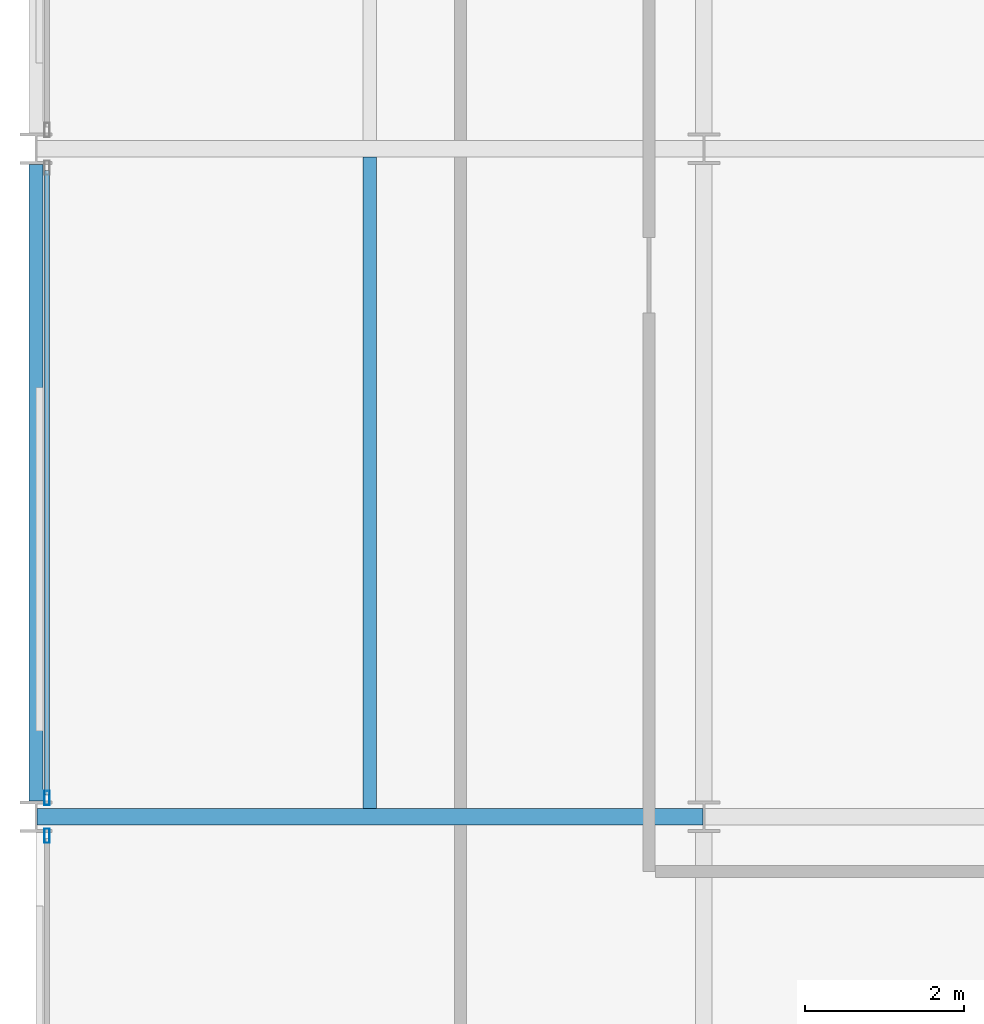
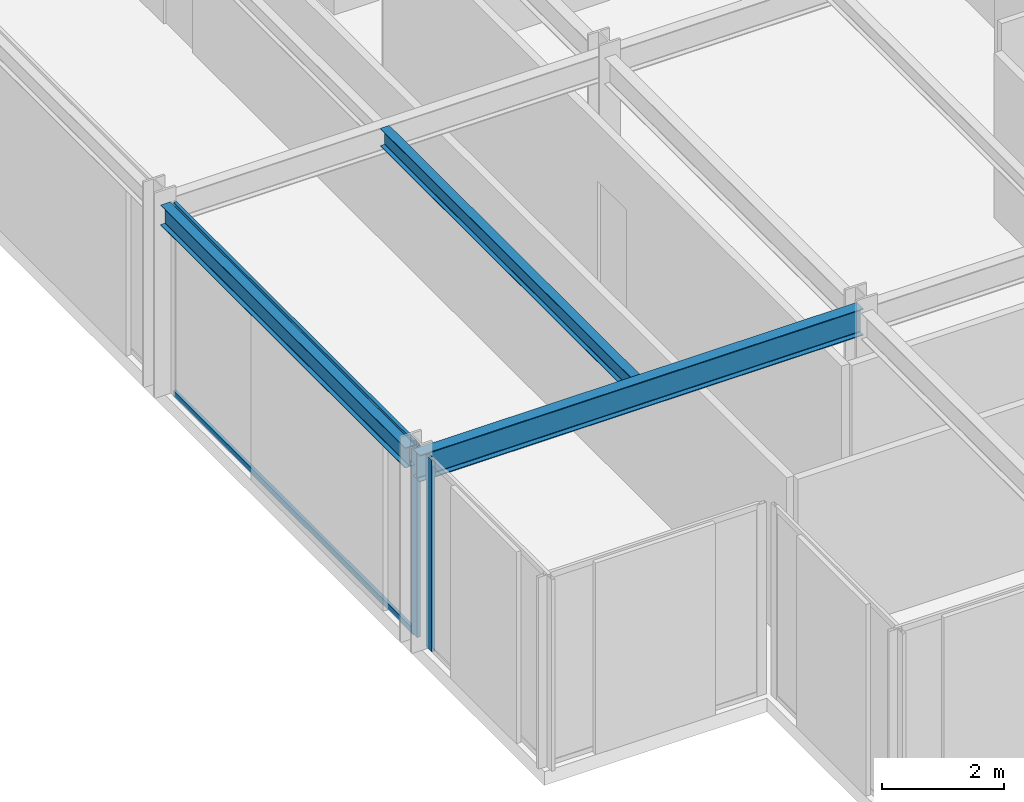
# One storey, part 6 of 38: 4 members, 3 beams, 2 elements without a shape of their own.
"""IFC4 building model written with IfcOpenShell, lengths in metres."""

from ifc_helpers import new_model, si_unit, direction, frame, origin, origin_2d, place, context, subcontext, project, spatial, hollow_rectangle, i_section, extrude, material, layer, layer_set, material_profile, profile_set, type_object, element, aggregate, save


model = new_model("IFC4")

# Units and contexts
model_context = context("Model", 3, precision=1e-05, world=origin(), true_north=direction((0.0, 1.0)))
body_context = subcontext(model_context, "Body", "Model", "MODEL_VIEW")
ifc_project = project(units=[si_unit("LENGTHUNIT", "METRE"), si_unit("AREAUNIT", "SQUARE_METRE"), si_unit("VOLUMEUNIT", "CUBIC_METRE"), si_unit("PLANEANGLEUNIT", "RADIAN"), si_unit("MASSUNIT", "GRAM", prefix="KILO")], contexts=[model_context])

# Site, building, storey
site_placement = place(None, origin())
site = spatial("IfcSite", under=ifc_project, at=site_placement, CompositionType="ELEMENT")
building_placement = place(site_placement, origin())
building = spatial("IfcBuilding", under=site, at=building_placement, Name="Nerrivon Quay Data Exchange", CompositionType="ELEMENT")
storey_placement = place(building_placement, frame((0.0, 0.0, 88.5)))
storey = spatial("IfcBuildingStorey", under=building, at=storey_placement, Name="L20", CompositionType="ELEMENT", Elevation=88.5)

# Beams
ifc_material_1 = material(Name="Steel Grade 350", Category="steel")
ifc_material_profile_1 = material_profile(ifc_material_1, i_section(OverallWidth=0.208984375, OverallDepth=0.532958984375, WebThickness=0.01025390625, FlangeThickness=0.015625, FilletRadius=0.013916015625, at=origin_2d()), Name="530UB92.4")
ifc_profile_set_1 = profile_set([ifc_material_profile_1], Name="Steel Grade 350")
beam_type_1 = type_object("IfcBeamType", Name="BM-G3-530UB92", PredefinedType="BEAM", material=ifc_profile_set_1)
beam_1_placement = place(storey_placement, frame((0.012451171875, 8.39990234375, 3.55859375), z_axis=(1.0, 0.0, 0.0), x_axis=(0.0, 1.0, 0.0)))
element("IfcBeam", 1, at=beam_1_placement, inside=storey, type_object=beam_type_1, Name="L20 EW Girder Y=8.4 (0.0..8.4)", PredefinedType="BEAM", context=body_context, shape_type="SweptSolid", body=[
    extrude(i_section(OverallWidth=0.208984375, OverallDepth=0.532958984375, WebThickness=0.01025390625, FlangeThickness=0.015625, FilletRadius=0.013916015625, at=origin_2d()), origin(), (0.0, 0.0, 1.0), 8.375),
])
ifc_material_profile_2 = material_profile(ifc_material_1, i_section(OverallWidth=0.1708984375, OverallDepth=0.35595703125, WebThickness=0.00732421875, FlangeThickness=0.011474609375, FilletRadius=0.011474609375, at=origin_2d()), Name="360UB50.7")
ifc_profile_set_2 = profile_set([ifc_material_profile_2], Name="Steel Grade 350")
beam_type_2 = type_object("IfcBeamType", Name="BM-J4-360UB51", PredefinedType="JOIST", material=ifc_profile_set_2)
beam_2_placement = place(storey_placement, frame((4.199951171875, 8.50439453125, 3.64697265625), z_axis=(0.0, 1.0, 0.0), x_axis=(-1.0, 0.0, 0.0)))
element("IfcBeam", 2, at=beam_2_placement, inside=storey, type_object=beam_type_2, Name="L20 Secondary Joist X=4.2 (8.4..16.8)", PredefinedType="JOIST", context=body_context, shape_type="SweptSolid", body=[
    extrude(i_section(OverallWidth=0.1708984375, OverallDepth=0.35595703125, WebThickness=0.00732421875, FlangeThickness=0.011474609375, FilletRadius=0.011474609375, at=origin_2d()), origin(), (0.0, 0.0, 1.0), 8.191162109375),
])
ifc_material_profile_3 = material_profile(ifc_material_1, i_section(OverallWidth=0.177978515625, OverallDepth=0.403076171875, WebThickness=0.007568359375, FlangeThickness=0.010986328125, FilletRadius=0.011474609375, at=origin_2d()), Name="410UB53.7")
ifc_profile_set_3 = profile_set([ifc_material_profile_3], Name="Steel Grade 350")
beam_type_3 = type_object("IfcBeamType", Name="BM-SP2-410UB54", PredefinedType="SPANDREL", material=ifc_profile_set_3)
beam_3_placement = place(storey_placement, frame((0.0, 8.60009765625, 3.62353515625), z_axis=(0.0, 1.0, 0.0), x_axis=(-1.0, 0.0, 0.0)))
element("IfcBeam", 3, at=beam_3_placement, inside=storey, type_object=beam_type_3, Name="L20 NS Girder X=0.0 (8.4..16.8)", PredefinedType="SPANDREL", context=body_context, shape_type="SweptSolid", body=[
    extrude(i_section(OverallWidth=0.177978515625, OverallDepth=0.403076171875, WebThickness=0.007568359375, FlangeThickness=0.010986328125, FilletRadius=0.011474609375, at=origin_2d()), origin(), (0.0, 0.0, 1.0), 8.0),
])

# Curtain wall, member
ifc_material_2 = material(Name="Anodised aluminium 6063-T6", Category="aluminium")
ifc_layer = layer(ifc_material_2, 0.2099609375)
ifc_layer_set = layer_set([ifc_layer], Name="Anodised aluminium 6063-T6")
curtain_wall_type = type_object("IfcCurtainWallType", Name="CW-SYS-02", PredefinedType="NOTDEFINED", material=ifc_layer_set)
curtain_wall_1_placement = place(storey_placement, origin())
curtain_wall_1 = element("IfcCurtainWall", 4, at=curtain_wall_1_placement, inside=storey, type_object=curtain_wall_type, Name="L20 Unitised Curtain Wall 17", PredefinedType="NOTDEFINED")
ifc_material_profile_4 = material_profile(ifc_material_2, hollow_rectangle(XDim=0.06494140625, YDim=0.179931640625, WallThickness=0.00341796875, at=origin_2d()), Name="ALU-MULL-180x65")
ifc_profile_set_4 = profile_set([ifc_material_profile_4], Name="Anodised aluminium 6063-T6")
member_type_1 = type_object("IfcMemberType", Name="CWM-180x65", PredefinedType="MULLION", material=ifc_profile_set_4)
member_1_placement = place(storey_placement, frame((0.139892578125, 8.16259765625, 0.0), z_axis=(0.0, 0.0, 1.0), x_axis=(-1.0, 0.0, 0.0)))
member_1 = element("IfcMember", 5, at=member_1_placement, type_object=member_type_1, Name="CW02 mullion 2", PredefinedType="MULLION", context=body_context, shape_type="SweptSolid", body=[
    extrude(hollow_rectangle(XDim=0.06494140625, YDim=0.179931640625, WallThickness=0.00341796875, at=origin_2d()), origin(), (0.0, 0.0, 1.0), 3.824951171875),
])
aggregate(curtain_wall_1, [member_1])

# Curtain wall, members
curtain_wall_2_placement = place(storey_placement, origin())
curtain_wall_2 = element("IfcCurtainWall", 6, at=curtain_wall_2_placement, inside=storey, type_object=curtain_wall_type, Name="L20 Unitised Curtain Wall 18", PredefinedType="NOTDEFINED")
member_2_placement = place(storey_placement, frame((0.139892578125, 8.637451171875, 0.0), z_axis=(0.0, 0.0, 1.0), x_axis=(-1.0, 0.0, 0.0)))
member_2 = element("IfcMember", 7, at=member_2_placement, type_object=member_type_1, Name="CW02 mullion 1", PredefinedType="MULLION", context=body_context, shape_type="SweptSolid", body=[
    extrude(hollow_rectangle(XDim=0.06494140625, YDim=0.179931640625, WallThickness=0.00341796875, at=origin_2d()), origin(), (0.0, 0.0, 1.0), 3.824951171875),
])
ifc_material_profile_5 = material_profile(ifc_material_2, hollow_rectangle(XDim=0.06005859375, YDim=0.1201171875, WallThickness=0.003173828125, at=origin_2d()), Name="ALU-TRAN-120x60")
ifc_profile_set_5 = profile_set([ifc_material_profile_5], Name="Anodised aluminium 6063-T6")
member_type_2 = type_object("IfcMemberType", Name="CWT-120x60", PredefinedType="USERDEFINED", material=ifc_profile_set_5)
member_3_placement = place(storey_placement, frame((0.139892578125, 8.675048828125, 0.032470703125), z_axis=(0.0, 1.0, 0.0), x_axis=(-1.0, 0.0, 0.0)))
member_3 = element("IfcMember", 8, at=member_3_placement, type_object=member_type_2, Name="CW02 transom 1.1", ObjectType="TRANSOM", PredefinedType="USERDEFINED", context=body_context, shape_type="SweptSolid", body=[
    extrude(hollow_rectangle(XDim=0.06005859375, YDim=0.1201171875, WallThickness=0.003173828125, at=origin_2d()), origin(), (0.0, 0.0, 1.0), 7.849853515625),
])
member_4_placement = place(storey_placement, frame((0.139892578125, 8.675048828125, 3.79248046875), z_axis=(0.0, 1.0, 0.0), x_axis=(-1.0, 0.0, 0.0)))
member_4 = element("IfcMember", 9, at=member_4_placement, type_object=member_type_2, Name="CW02 transom 1.2", ObjectType="TRANSOM", PredefinedType="USERDEFINED", context=body_context, shape_type="SweptSolid", body=[
    extrude(hollow_rectangle(XDim=0.06005859375, YDim=0.1201171875, WallThickness=0.003173828125, at=origin_2d()), origin(), (0.0, 0.0, 1.0), 7.849853515625),
])
aggregate(curtain_wall_2, [member_2, member_3, member_4])

save(model, "model.ifc")
